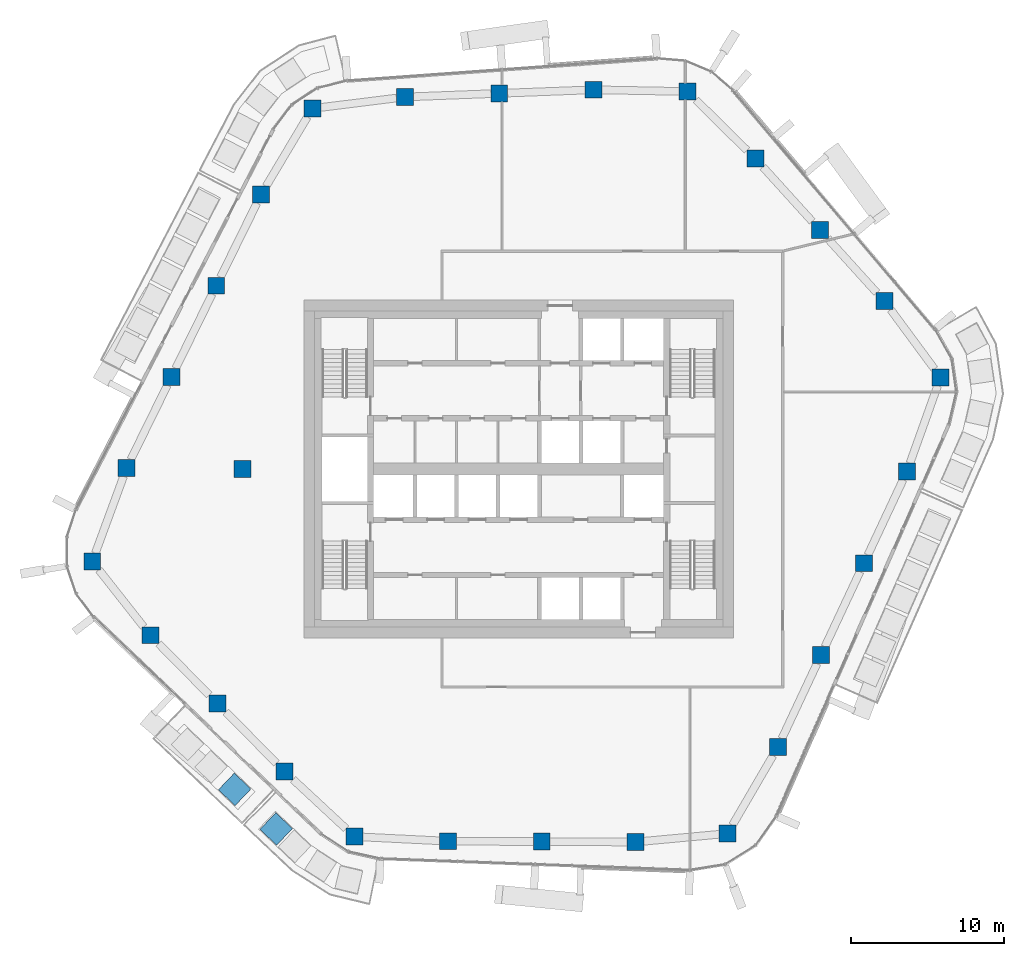
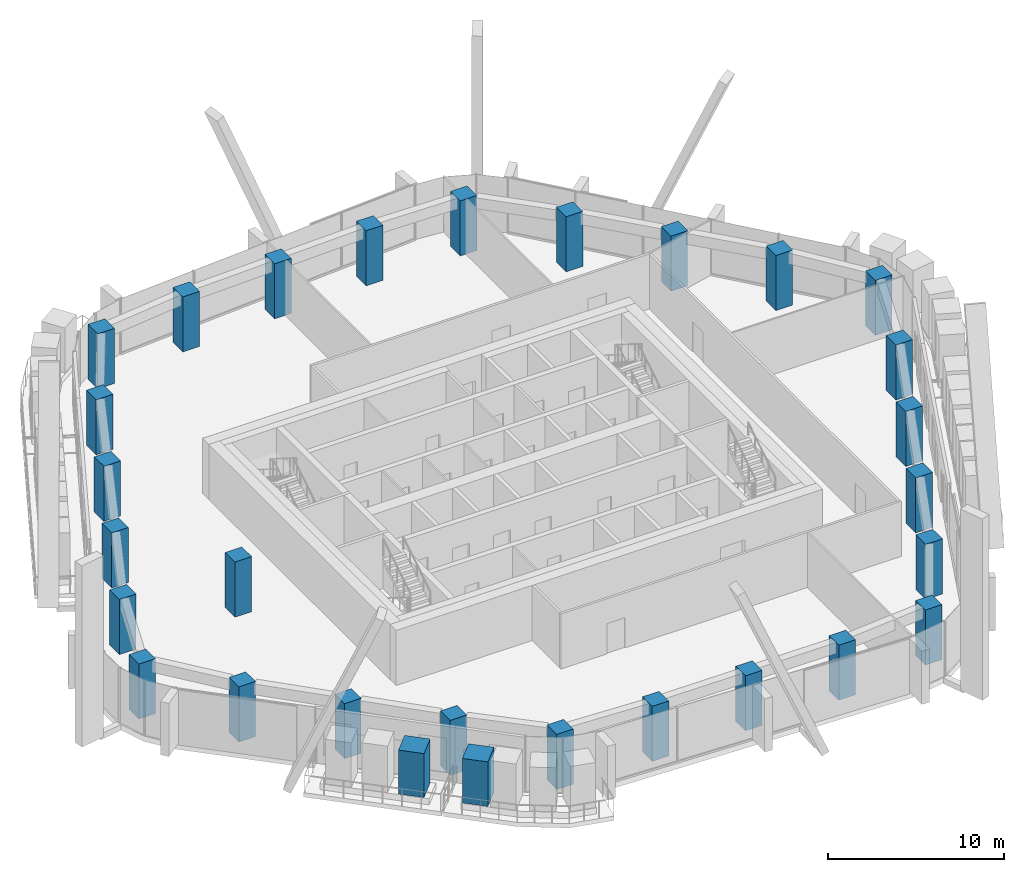
# One storey, part 1 of 20: 27 columns, 2 members.
"""IFC4 building model written with IfcOpenShell, lengths in metres."""

from ifc_helpers import new_model, si_unit, direction, frame, origin, origin_2d, place, context, subcontext, project, spatial, rectangle, extrude, material, material_profile, profile_set, type_object, element, save


model = new_model("IFC4")

# Units and contexts
model_context = context("Model", 3, precision=1e-05, world=origin(), true_north=direction((0.0, 1.0)))
body_context = subcontext(model_context, "Body", "Model", "MODEL_VIEW")
ifc_project = project(units=[si_unit("LENGTHUNIT", "METRE"), si_unit("AREAUNIT", "SQUARE_METRE"), si_unit("VOLUMEUNIT", "CUBIC_METRE"), si_unit("PLANEANGLEUNIT", "RADIAN"), si_unit("MASSUNIT", "GRAM", prefix="KILO")], contexts=[model_context])

# Site, building, storey
site_placement = place(None, origin())
site = spatial("IfcSite", under=ifc_project, at=site_placement, CompositionType="ELEMENT")
building_placement = place(site_placement, origin())
building = spatial("IfcBuilding", under=site, at=building_placement, Name="Dongbaek Canopy Tower", CompositionType="ELEMENT")
storey_placement = place(building_placement, frame((0.0, 0.0, 266.39990234375)))
storey = spatial("IfcBuildingStorey", under=building, at=storey_placement, Name="L56", CompositionType="ELEMENT", Elevation=266.39990234375)

# Columns
ifc_material_1 = material(Name="Concrete C70", Category="concrete")
ifc_material_profile_1 = material_profile(ifc_material_1, rectangle(XDim=1.10009765625, YDim=1.10009765625, at=origin_2d()), Name="RC COLUMN 1100x1100 C70")
ifc_profile_set_1 = profile_set([ifc_material_profile_1], Name="Concrete C70")
column_type = type_object("IfcColumnType", Name="RC COLUMN 1100x1100 C70", PredefinedType="COLUMN", material=ifc_profile_set_1)
for number, where, z_axis, x_axis, name in (
    (1, (13.612060546875, -23.74609375, 0.0), (0.0, 0.0, 1.0), (1.0, 0.0, 0.0), "COL:CZ4-01:L56"),
    (2, (7.615966796875, -24.300048828125, 0.0), (0.0, 0.0, 1.0), (1.0, 0.0, 0.0), "COL:CZ4-02:L56"),
    (3, (1.501953125, -24.27197265625, 0.0), (0.0, 0.0, 1.0), (1.0, 0.0, 0.0), "COL:CZ4-03:L56"),
    (4, (-4.611083984375, -24.24609375, 0.0), (0.0, 0.0, 1.0), (1.0, 0.0, 0.0), "COL:CZ4-04:L56"),
    (5, (-10.697021484375, -23.946044921875, 0.0), (0.0, 0.0, 1.0), (1.0, 0.0, 0.0), "COL:CZ4-05:L56"),
    (6, (-15.2470703125, -19.714111328125, 0.0), (0.0, 0.0, 1.0), (1.0, 0.0, 0.0), "COL:CZ4-06:L56"),
    (7, (-19.6220703125, -15.27197265625, 0.0), (0.0, 0.0, 1.0), (1.0, 0.0, 0.0), "COL:CZ4-07:L56"),
    (8, (-23.9970703125, -10.8291015625, 0.0), (0.0, 0.0, 1.0), (1.0, 0.0, 0.0), "COL:CZ4-08:L56"),
    (9, (-27.781982421875, -6.02001953125, 0.0), (0.0, 0.0, 1.0), (1.0, 0.0, 0.0), "COL:CZ4-09:L56"),
    (10, (-25.5400390625, 0.075927734375, 0.0), (0.0, 0.0, 1.0), (1.0, 0.0, 0.0), "COL:CZ4-10:L56"),
    (11, (-22.62109375, 6.010986328125, 0.0), (0.0, 0.0, 1.0), (1.0, 0.0, 0.0), "COL:CZ4-11:L56"),
    (12, (-19.701904296875, 11.945068359375, 0.0), (0.0, 0.0, 1.0), (1.0, 0.0, 0.0), "COL:CZ4-12:L56"),
    (13, (-16.783935546875, 17.8779296875, 0.0), (0.0, 0.0, 1.0), (1.0, 0.0, 0.0), "COL:CZ4-13:L56"),
    (14, (-13.44189453125, 23.490966796875, 0.0), (0.0, 0.0, 1.0), (1.0, 0.0, 0.0), "COL:CZ4-14:L56"),
    (15, (-7.4150390625, 24.242919921875, 0.0), (0.0, 0.0, 1.0), (1.0, 0.0, 0.0), "COL:CZ4-15:L56"),
    (16, (-1.26611328125, 24.47900390625, 0.0), (0.0, 0.0, 1.0), (1.0, 0.0, 0.0), "COL:CZ4-16:L56"),
    (17, (4.883056640625, 24.714111328125, 0.0), (0.0, 0.0, 1.0), (1.0, 0.0, 0.0), "COL:CZ4-17:L56"),
    (18, (10.989990234375, 24.59912109375, 0.0), (0.0, 0.0, 1.0), (1.0, 0.0, 0.0), "COL:CZ4-18:L56"),
    (19, (15.41796875, 20.22900390625, 0.0), (0.0, 0.0, 1.0), (1.0, 0.0, 0.0), "COL:CZ4-19:L56"),
    (20, (19.625, 15.583984375, 0.0), (0.0, 0.0, 1.0), (1.0, 0.0, 0.0), "COL:CZ4-20:L56"),
    (21, (23.8310546875, 10.93896484375, 0.0), (0.0, 0.0, 1.0), (1.0, 0.0, 0.0), "COL:CZ4-21:L56"),
    (22, (27.491943359375, 5.97705078125, 0.0), (0.0, 0.0, 1.0), (1.0, 0.0, 0.0), "COL:CZ4-22:L56"),
    (23, (25.302001953125, -0.152099609375, 0.0), (0.0, 0.0, 1.0), (1.0, 0.0, 0.0), "COL:CZ4-23:L56"),
    (24, (22.4990234375, -6.138916015625, 0.0), (0.0, 0.0, 1.0), (1.0, 0.0, 0.0), "COL:CZ4-24:L56"),
    (25, (19.695068359375, -12.126953125, 0.0), (0.0, 0.0, 1.0), (1.0, 0.0, 0.0), "COL:CZ4-25:L56"),
    (26, (16.889892578125, -18.114013671875, 0.0), (0.0, 0.0, 1.0), (1.0, 0.0, 0.0), "COL:CZ4-26:L56"),
    (27, (-18.0, 0.0, 0.0), (0.0, 0.0, 1.0), (1.0, 0.0, 0.0), "COL:CIZ4-01:L56"),
):
    element("IfcColumn", number, at=place(storey_placement, frame(where, z_axis=z_axis, x_axis=x_axis)), inside=storey, type_object=column_type, Name=name, PredefinedType="COLUMN", context=body_context, shape_type="SweptSolid", body=[
        extrude(rectangle(XDim=1.10009765625, YDim=1.10009765625, at=origin_2d()), origin(), (0.0, 0.0, 1.0), 3.820068359375),
    ])

# Members
ifc_material_2 = material(Name="Concrete C40/50 planter mass with planting", Category="concrete")
ifc_material_profile_2 = material_profile(ifc_material_2, rectangle(XDim=1.5, YDim=1.5, at=origin_2d()), Name="Terrace PLANTER shrub mass 1500 x 1500")
ifc_profile_set_2 = profile_set([ifc_material_profile_2], Name="Concrete C40/50 planter mass with planting")
member_type = type_object("IfcMemberType", Name="Terrace PLANTER shrub mass 1500 x 1500", PredefinedType="USERDEFINED", material=ifc_profile_set_2)
member_1_placement = place(storey_placement, frame((-18.503662109375, -20.869873046875, 0.420166015625), z_axis=(0.0, 0.0, 1.0), x_axis=(-0.690481624386, -0.723349933562, 0.0)))
element("IfcMember", 28, at=member_1_placement, inside=storey, type_object=member_type, Name="Planter shrubs L56 2.3", ObjectType="PLANTER", PredefinedType="USERDEFINED", context=body_context, shape_type="SweptSolid", body=[
    extrude(rectangle(XDim=1.5, YDim=1.5, at=origin_2d()), origin(), (0.0, 0.0, 1.0), 3.050048828125),
])
member_2_placement = place(storey_placement, frame((-15.798828125, -23.44970703125, 0.420166015625), z_axis=(0.0, 0.0, 1.0), x_axis=(-0.68895657281, -0.724802621948, 0.0)))
element("IfcMember", 29, at=member_2_placement, inside=storey, type_object=member_type, Name="Planter shrubs L56 6.1", ObjectType="PLANTER", PredefinedType="USERDEFINED", context=body_context, shape_type="SweptSolid", body=[
    extrude(rectangle(XDim=1.5, YDim=1.5, at=origin_2d()), origin(), (0.0, 0.0, 1.0), 3.08984375),
])

save(model, "model.ifc")
